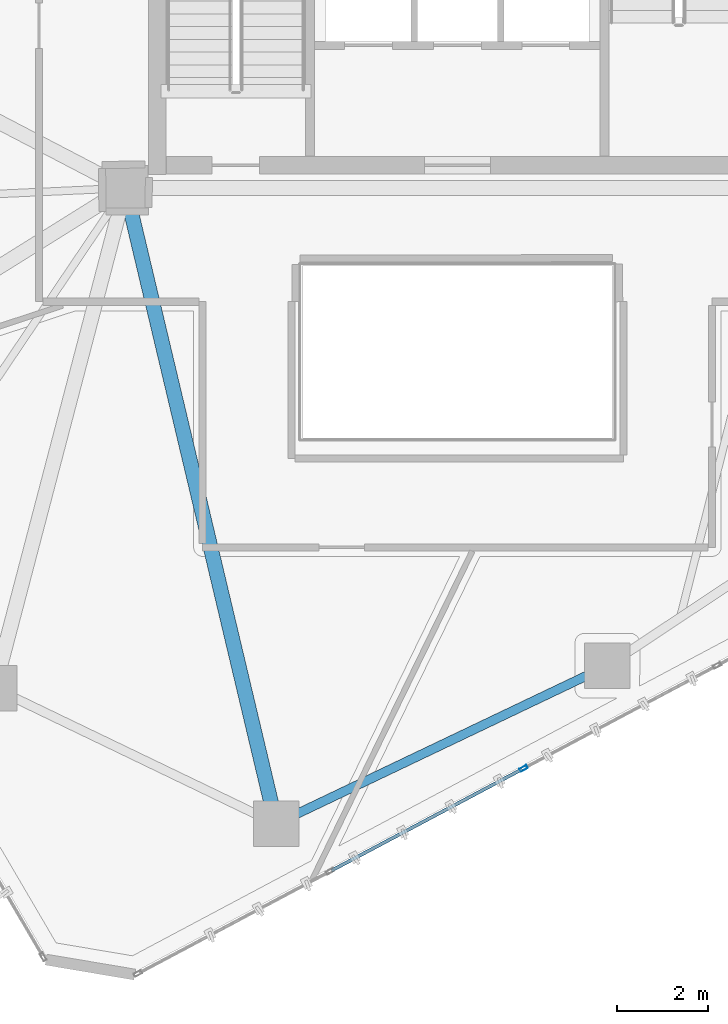
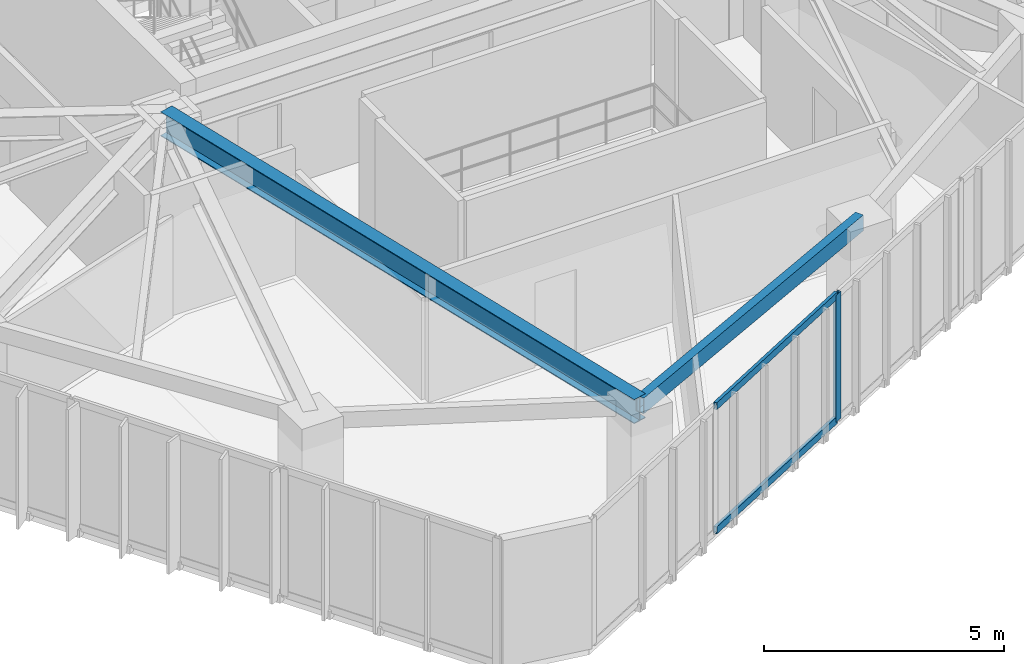
# One storey, part 4 of 19: 3 members, 2 beams, 1 element without a shape of its own.
"""IFC4 building model written with IfcOpenShell, lengths in metres."""

from ifc_helpers import new_model, si_unit, direction, frame, origin, origin_2d, place, context, subcontext, project, spatial, hollow_rectangle, i_section, extrude, source, transform, mapped, material, layer, layer_set, material_profile, profile_set, type_object, type_shapes, element, aggregate, save


model = new_model("IFC4")

# Units and contexts
model_context = context("Model", 3, precision=1e-05, world=origin(), true_north=direction((0.0, 1.0)))
body_context = subcontext(model_context, "Body", "Model", "MODEL_VIEW")
ifc_project = project(units=[si_unit("LENGTHUNIT", "METRE"), si_unit("AREAUNIT", "SQUARE_METRE"), si_unit("VOLUMEUNIT", "CUBIC_METRE"), si_unit("PLANEANGLEUNIT", "RADIAN"), si_unit("MASSUNIT", "GRAM", prefix="KILO")], contexts=[model_context])

# Site, building, storey
site_placement = place(None, origin())
site = spatial("IfcSite", under=ifc_project, at=site_placement, CompositionType="ELEMENT")
building_placement = place(site_placement, origin())
building = spatial("IfcBuilding", under=site, at=building_placement, Name="Talar Marvaseh", CompositionType="ELEMENT")
storey_placement = place(building_placement, frame((0.0, 0.0, 174.0)))
storey = spatial("IfcBuildingStorey", under=building, at=storey_placement, Name="L45", CompositionType="ELEMENT", Elevation=174.0)

# Beams
ifc_material_1 = material(Name="Steel S355", Category="steel")
ifc_material_profile_1 = material_profile(ifc_material_1, hollow_rectangle(XDim=0.199951171875, YDim=0.39990234375, WallThickness=0.013916015625, at=origin_2d()), Name="RHS400x200x14")
ifc_profile_set_1 = profile_set([ifc_material_profile_1], Name="Steel S355")
beam_type_1 = type_object("IfcBeamType", Name="Zone 3 Perimeter Spandrel Beam RHS400x200x14", PredefinedType="SPANDREL", material=ifc_profile_set_1)
beam_1_placement = place(storey_placement, frame((29.299072265625, 14.993896484375, 3.030029296875), z_axis=(-0.902562267408, -0.430559349511, 0.0), x_axis=(0.430559349511, -0.902562267408, 0.0)))
element("IfcBeam", 1, at=beam_1_placement, inside=storey, type_object=beam_type_1, Name="L45 Zone 3 Perimeter Spandrel Beam RHS400x200x14", PredefinedType="SPANDREL", context=body_context, shape_type="SweptSolid", body=[
    extrude(hollow_rectangle(XDim=0.199951171875, YDim=0.39990234375, WallThickness=0.013916015625, at=origin_2d()), origin(), (0.0, 0.0, 1.0), 8.070556640625),
])
ifc_material_profile_2 = material_profile(ifc_material_1, i_section(OverallWidth=0.324951171875, OverallDepth=0.615966796875, WebThickness=0.013916015625, FlangeThickness=0.021484375, at=origin_2d()), Name="W610x174")
ifc_profile_set_2 = profile_set([ifc_material_profile_2], Name="Steel S355")
beam_type_2 = type_object("IfcBeamType", Name="Zone 3 Radial Floor Girder W610x174", PredefinedType="BEAM", material=ifc_profile_set_2)
beam_2_placement = place(storey_placement, frame((22.014892578125, 11.51904296875, 2.922119140625), z_axis=(-0.230707708791, 0.973023099985, 0.0), x_axis=(-0.973023099985, -0.230707708791, 0.0)))
element("IfcBeam", 2, at=beam_2_placement, inside=storey, type_object=beam_type_2, Name="L45 Zone 3 Radial Floor Girder W610x174", PredefinedType="BEAM", context=body_context, shape_type="SweptSolid", body=[
    extrude(i_section(OverallWidth=0.324951171875, OverallDepth=0.615966796875, WebThickness=0.013916015625, FlangeThickness=0.021484375, at=origin_2d()), origin(), (0.0, 0.0, 1.0), 14.36865234375),
])

# Curtain wall, members
ifc_material_2 = material(Name="Architectural Aluminium", Category="aluminium")
ifc_layer = layer(ifc_material_2, 0.18994140625)
ifc_layer_set = layer_set([ifc_layer], Name="Architectural Aluminium")
curtain_wall_type = type_object("IfcCurtainWallType", Name="Unitised Solar Atelier Curtain Wall Z3", PredefinedType="NOTDEFINED", material=ifc_layer_set)
curtain_wall_placement = place(storey_placement, origin())
curtain_wall = element("IfcCurtainWall", 3, at=curtain_wall_placement, inside=storey, type_object=curtain_wall_type, Name="L45 Unitised Solar Atelier Curtain Wall Z3", PredefinedType="NOTDEFINED")
ifc_material_profile_3 = material_profile(ifc_material_2, hollow_rectangle(XDim=0.074951171875, YDim=0.179931640625, WallThickness=0.0048828125, at=origin_2d()), Name="RHS180x75x5")
ifc_profile_set_3 = profile_set([ifc_material_profile_3], Name="Architectural Aluminium")
member_type_1 = type_object("IfcMemberType", Name="Unitised Curtain Wall Standard Mullion RHS180x75x5", PredefinedType="MULLION", material=ifc_profile_set_3)
shared_shape_1 = source(origin(), body_context, "Body", "SweptSolid", [
    extrude(hollow_rectangle(XDim=0.074951171875, YDim=0.179931640625, WallThickness=0.0048828125, at=origin_2d()), origin(), (0.0, 0.0, 1.0), 3.22998046875),
])
type_shapes(member_type_1, [shared_shape_1])
member_1_placement = place(storey_placement, frame((27.456298828125, 12.737548828125, 0.0), z_axis=(0.0, 0.0, 1.0), x_axis=(0.469609791642, -0.882874081392, 0.0)))
member_1 = element("IfcMember", 4, at=member_1_placement, type_object=member_type_1, Name="CW-Z3 mullion 3", PredefinedType="MULLION", context=body_context, shape_type="MappedRepresentation", body=[
    mapped(shared_shape_1, transform((0.0, 0.0, 0.0), x_axis=(1.0, 0.0, 0.0), y_axis=(0.0, 1.0, 0.0), z_axis=(0.0, 0.0, 1.0), scale=1.0)),
])
ifc_material_profile_4 = material_profile(ifc_material_2, hollow_rectangle(XDim=0.074951171875, YDim=0.179931640625, WallThickness=0.0048828125, at=origin_2d()), Name="RHS180x75x5")
ifc_profile_set_4 = profile_set([ifc_material_profile_4], Name="Architectural Aluminium")
member_type_2 = type_object("IfcMemberType", Name="Unitised Curtain Wall Transom RHS180x75x5", PredefinedType="USERDEFINED", material=ifc_profile_set_4)
shared_shape_2 = source(origin(), body_context, "Body", "SweptSolid", [
    extrude(hollow_rectangle(XDim=0.074951171875, YDim=0.179931640625, WallThickness=0.0048828125, at=origin_2d()), origin(), (0.0, 0.0, 1.0), 4.7470703125),
])
type_shapes(member_type_2, [shared_shape_2])
member_2_placement = place(storey_placement, frame((27.42333984375, 12.719970703125, 0.03759765625), z_axis=(-0.88288055527, -0.469597620444, 0.0), x_axis=(0.469597620444, -0.88288055527, 0.0)))
member_2 = element("IfcMember", 5, at=member_2_placement, type_object=member_type_2, Name="CW-Z3 transom 3.1", ObjectType="TRANSOM", PredefinedType="USERDEFINED", context=body_context, shape_type="MappedRepresentation", body=[
    mapped(shared_shape_2, transform((0.0, 0.0, 0.0), x_axis=(1.0, 0.0, 0.0), y_axis=(0.0, 1.0, 0.0), z_axis=(0.0, 0.0, 1.0), scale=1.0)),
])
member_3_placement = place(storey_placement, frame((27.42333984375, 12.719970703125, 3.1923828125), z_axis=(-0.88288055527, -0.469597620444, 0.0), x_axis=(0.469597620444, -0.88288055527, 0.0)))
member_3 = element("IfcMember", 6, at=member_3_placement, type_object=member_type_2, Name="CW-Z3 transom 3.2", ObjectType="TRANSOM", PredefinedType="USERDEFINED", context=body_context, shape_type="MappedRepresentation", body=[
    mapped(shared_shape_2, transform((0.0, 0.0, 0.0), x_axis=(1.0, 0.0, 0.0), y_axis=(0.0, 1.0, 0.0), z_axis=(0.0, 0.0, 1.0), scale=1.0)),
])
aggregate(curtain_wall, [member_1, member_2, member_3])

save(model, "model.ifc")
